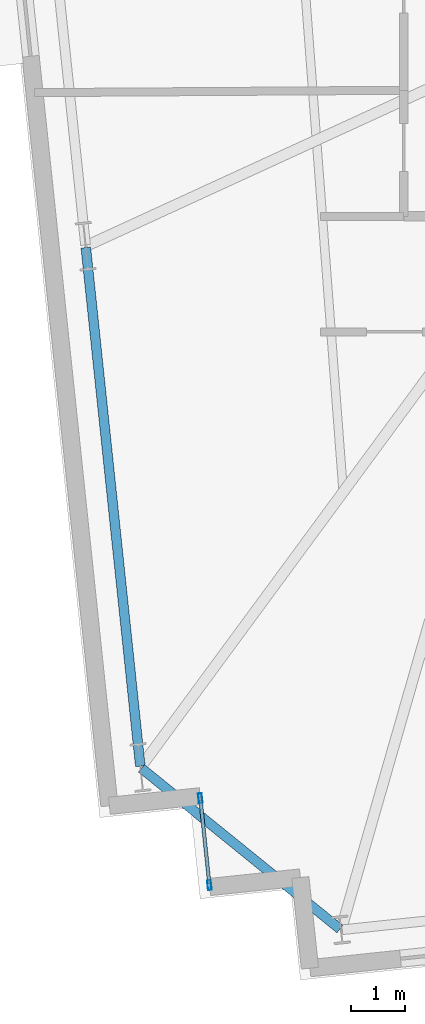
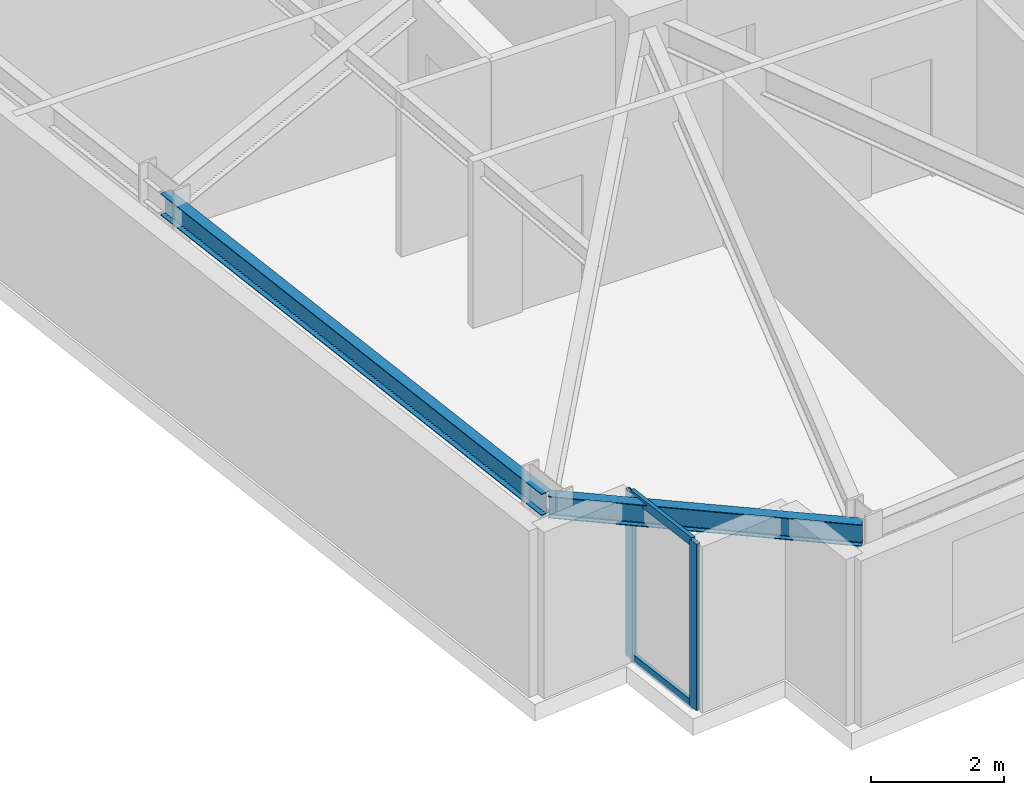
# One storey, part 4 of 19: 4 members, 2 beams, 1 element without a shape of its own.
"""IFC4 building model written with IfcOpenShell, lengths in metres."""

from ifc_helpers import new_model, si_unit, direction, frame, origin, origin_2d, place, context, subcontext, project, spatial, hollow_rectangle, i_section, extrude, material, layer, layer_set, material_profile, profile_set, type_object, element, aggregate, save


model = new_model("IFC4")

# Units and contexts
model_context = context("Model", 3, precision=1e-05, world=origin(), true_north=direction((0.0, 1.0)))
body_context = subcontext(model_context, "Body", "Model", "MODEL_VIEW")
ifc_project = project(units=[si_unit("LENGTHUNIT", "METRE"), si_unit("AREAUNIT", "SQUARE_METRE"), si_unit("VOLUMEUNIT", "CUBIC_METRE"), si_unit("PLANEANGLEUNIT", "RADIAN"), si_unit("MASSUNIT", "GRAM", prefix="KILO")], contexts=[model_context])

# Site, building, storey
site_placement = place(None, origin())
site = spatial("IfcSite", under=ifc_project, at=site_placement, CompositionType="ELEMENT")
building_placement = place(site_placement, origin())
building = spatial("IfcBuilding", under=site, at=building_placement, Name="Qobustan Lattice House", CompositionType="ELEMENT")
storey_placement = place(building_placement, frame((0.0, 0.0, 82.35009765625)))
storey = spatial("IfcBuildingStorey", under=building, at=storey_placement, Name="L22", CompositionType="ELEMENT", Elevation=82.35009765625)

# Beams
ifc_material_1 = material(Name="Steel S355", Category="steel")
ifc_material_profile_1 = material_profile(ifc_material_1, i_section(OverallWidth=0.179931640625, OverallDepth=0.39990234375, WebThickness=0.008544921875, FlangeThickness=0.013427734375, FilletRadius=0.02099609375, at=origin_2d()), Name="IPE400")
ifc_profile_set_1 = profile_set([ifc_material_profile_1], Name="Steel S355")
beam_type = type_object("IfcBeamType", Name="BM-SPD-IPE400", PredefinedType="SPANDREL", material=ifc_profile_set_1)
beam_1_placement = place(storey_placement, frame((-27.37451171875, -6.180908203125, 2.844970703125), z_axis=(0.104527826257, -0.994521962321, 0.0), x_axis=(0.994521962321, 0.104527826257, 0.0)))
element("IfcBeam", 1, at=beam_1_placement, inside=storey, type_object=beam_type, Name="L22 perimeter spandrel W3-W4", PredefinedType="SPANDREL", context=body_context, shape_type="SweptSolid", body=[
    extrude(i_section(OverallWidth=0.179931640625, OverallDepth=0.39990234375, WebThickness=0.008544921875, FlangeThickness=0.013427734375, FilletRadius=0.02099609375, at=origin_2d()), origin(), (0.0, 0.0, 1.0), 9.71630859375),
])
beam_2_placement = place(storey_placement, frame((-26.3369140625, -15.884765625, 2.844970703125), z_axis=(0.777140911545, -0.629326627121, 0.0), x_axis=(0.629326627121, 0.777140911545, 0.0)))
element("IfcBeam", 2, at=beam_2_placement, inside=storey, type_object=beam_type, Name="L22 perimeter spandrel W4-S1", PredefinedType="SPANDREL", context=body_context, shape_type="SweptSolid", body=[
    extrude(i_section(OverallWidth=0.179931640625, OverallDepth=0.39990234375, WebThickness=0.008544921875, FlangeThickness=0.013427734375, FilletRadius=0.02099609375, at=origin_2d()), origin(), (0.0, 0.0, 1.0), 4.758544921875),
])

# Curtain wall, members
ifc_material_2 = material(Name="Anodised aluminium and low-E glazing", Category="aluminium")
ifc_layer = layer(ifc_material_2, 0.219970703125)
ifc_layer_set = layer_set([ifc_layer], Name="Anodised aluminium and low-E glazing")
curtain_wall_type = type_object("IfcCurtainWallType", Name="CW-FAC-01", PredefinedType="USERDEFINED", material=ifc_layer_set)
curtain_wall_placement = place(storey_placement, origin())
curtain_wall = element("IfcCurtainWall", 3, at=curtain_wall_placement, inside=storey, type_object=curtain_wall_type, Name="L22 serrated corner faceted glazing 3", ObjectType="CURTAIN WALL", PredefinedType="USERDEFINED")
ifc_material_3 = material(Name="Anodised aluminium EN AW-6063 T6", Category="aluminium")
ifc_material_profile_2 = material_profile(ifc_material_3, hollow_rectangle(XDim=0.070068359375, YDim=0.179931640625, WallThickness=0.00439453125, at=origin_2d()), Name="CWM-180x70")
ifc_profile_set_2 = profile_set([ifc_material_profile_2], Name="Anodised aluminium EN AW-6063 T6")
member_type_1 = type_object("IfcMemberType", Name="CWM-STD-180", PredefinedType="MULLION", material=ifc_profile_set_2)
member_1_placement = place(storey_placement, frame((-25.070068359375, -18.0615234375, 0.0), z_axis=(0.0, 0.0, 1.0), x_axis=(-0.994521878892, -0.104528620025, 0.0)))
member_1 = element("IfcMember", 4, at=member_1_placement, type_object=member_type_1, Name="CW-F1 mullion 1", PredefinedType="MULLION", context=body_context, shape_type="SweptSolid", body=[
    extrude(hollow_rectangle(XDim=0.070068359375, YDim=0.179931640625, WallThickness=0.00439453125, at=origin_2d()), origin(), (0.0, 0.0, 1.0), 3.044921875),
])
member_2_placement = place(storey_placement, frame((-25.240234375, -16.4404296875, 0.0), z_axis=(0.0, 0.0, 1.0), x_axis=(-0.994521878892, -0.104528620025, 0.0)))
member_2 = element("IfcMember", 5, at=member_2_placement, type_object=member_type_1, Name="CW-F1 mullion 2", PredefinedType="MULLION", context=body_context, shape_type="SweptSolid", body=[
    extrude(hollow_rectangle(XDim=0.070068359375, YDim=0.179931640625, WallThickness=0.00439453125, at=origin_2d()), origin(), (0.0, 0.0, 1.0), 3.044921875),
])
ifc_material_4 = material(Name="Anodised aluminium EN AW-6063 T6", Category="aluminium")
ifc_material_profile_3 = material_profile(ifc_material_4, hollow_rectangle(XDim=0.06494140625, YDim=0.159912109375, WallThickness=0.00390625, at=origin_2d()), Name="CWT-160x65")
ifc_profile_set_3 = profile_set([ifc_material_profile_3], Name="Anodised aluminium EN AW-6063 T6")
member_type_2 = type_object("IfcMemberType", Name="CWT-HOR-160", PredefinedType="USERDEFINED", material=ifc_profile_set_3)
member_3_placement = place(storey_placement, frame((-25.07373046875, -18.02685546875, 0.032470703125), z_axis=(-0.104383362594, 0.994537135362, 0.0), x_axis=(-0.994537135362, -0.104383362594, 0.0)))
member_3 = element("IfcMember", 6, at=member_3_placement, type_object=member_type_2, Name="CW-F1 transom 1.1", ObjectType="TRANSOM", PredefinedType="USERDEFINED", context=body_context, shape_type="SweptSolid", body=[
    extrude(hollow_rectangle(XDim=0.06494140625, YDim=0.159912109375, WallThickness=0.00390625, at=origin_2d()), origin(), (0.0, 0.0, 1.0), 1.56005859375),
])
member_4_placement = place(storey_placement, frame((-25.07373046875, -18.02685546875, 3.012451171875), z_axis=(-0.104383362594, 0.994537135362, 0.0), x_axis=(-0.994537135362, -0.104383362594, 0.0)))
member_4 = element("IfcMember", 7, at=member_4_placement, type_object=member_type_2, Name="CW-F1 transom 1.2", ObjectType="TRANSOM", PredefinedType="USERDEFINED", context=body_context, shape_type="SweptSolid", body=[
    extrude(hollow_rectangle(XDim=0.06494140625, YDim=0.159912109375, WallThickness=0.00390625, at=origin_2d()), origin(), (0.0, 0.0, 1.0), 1.56005859375),
])
aggregate(curtain_wall, [member_1, member_2, member_3, member_4])

save(model, "model.ifc")
